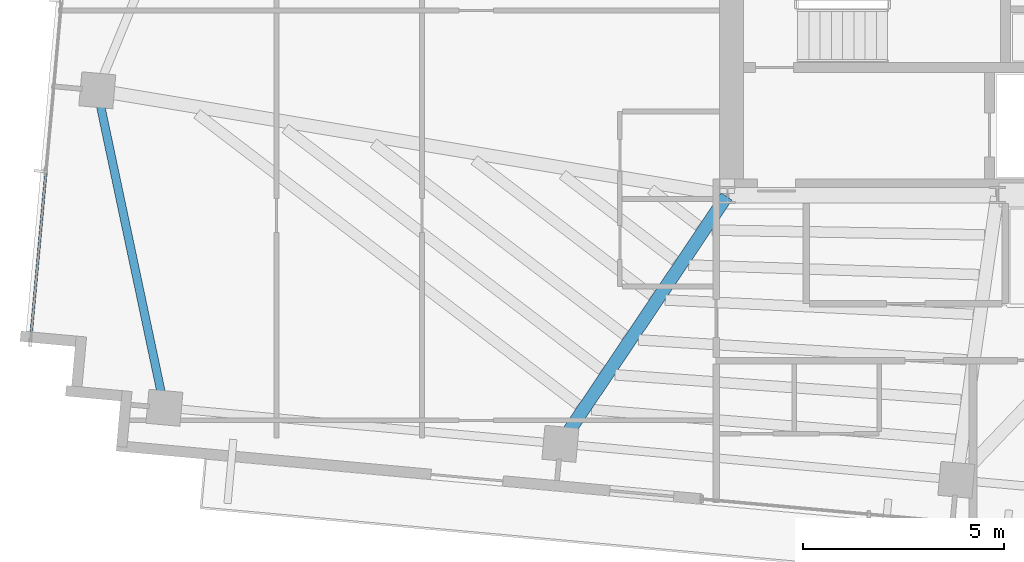
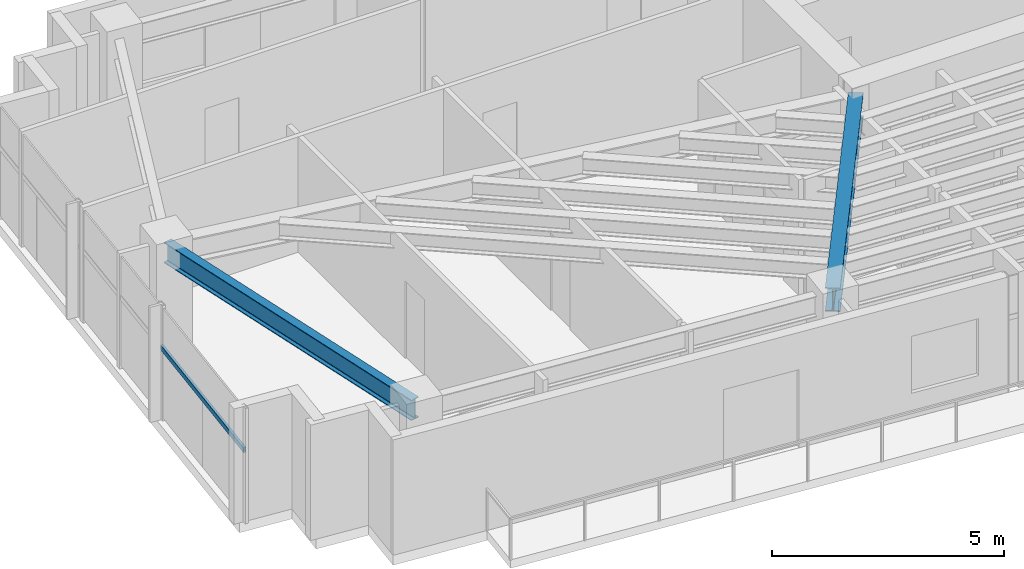
# One storey, part 3 of 22: 2 beams, 1 member, 1 element without a shape of its own.
"""IFC4 building model written with IfcOpenShell, lengths in metres."""

from ifc_helpers import new_model, si_unit, direction, frame, origin, origin_2d, place, context, subcontext, project, spatial, hollow_rectangle, i_section, extrude, source, transform, mapped, material, material_profile, profile_set, type_object, type_shapes, element, aggregate, save


model = new_model("IFC4")

# Units and contexts
model_context = context("Model", 3, precision=1e-05, world=origin(), true_north=direction((0.0, 1.0)))
body_context = subcontext(model_context, "Body", "Model", "MODEL_VIEW")
ifc_project = project(units=[si_unit("LENGTHUNIT", "METRE"), si_unit("AREAUNIT", "SQUARE_METRE"), si_unit("VOLUMEUNIT", "CUBIC_METRE"), si_unit("PLANEANGLEUNIT", "RADIAN"), si_unit("MASSUNIT", "GRAM", prefix="KILO")], contexts=[model_context])

# Site, building, storey
site_placement = place(None, origin())
site = spatial("IfcSite", under=ifc_project, at=site_placement, CompositionType="ELEMENT")
building_placement = place(site_placement, origin())
building = spatial("IfcBuilding", under=site, at=building_placement, Name="Astriad Promenade Condominiums", CompositionType="ELEMENT")
storey_placement = place(building_placement, frame((0.0, 0.0, 236.39990234375)))
storey = spatial("IfcBuildingStorey", under=building, at=storey_placement, Name="L68", CompositionType="ELEMENT", Elevation=236.39990234375)

# Beams
ifc_material_1 = material(Name="Steel ASTM A992 Grade 50", Category="steel")
ifc_material_profile_1 = material_profile(ifc_material_1, i_section(OverallWidth=0.210693359375, OverallDepth=0.53955078125, WebThickness=0.01171875, FlangeThickness=0.018798828125, FilletRadius=0.0166015625, at=origin_2d()), Name="W21X73")
ifc_profile_set_1 = profile_set([ifc_material_profile_1], Name="Steel ASTM A992 Grade 50")
beam_type_1 = type_object("IfcBeamType", Name="STEEL SPANDREL BEAM W21X73", PredefinedType="SPANDREL", material=ifc_profile_set_1)
shared_shape_1 = source(origin(), body_context, "Body", "SweptSolid", [
    extrude(i_section(OverallWidth=0.210693359375, OverallDepth=0.53955078125, WebThickness=0.01171875, FlangeThickness=0.018798828125, FilletRadius=0.0166015625, at=origin_2d()), origin(), (0.0, 0.0, 1.0), 7.99853515625),
])
type_shapes(beam_type_1, [shared_shape_1])
beam_1_placement = place(storey_placement, frame((10.719482421875, 19.97119140625, 2.7705078125), z_axis=(0.206793407277, -0.978384631271, 0.0), x_axis=(0.978384631271, 0.206793407277, 0.0)))
element("IfcBeam", 1, at=beam_1_placement, inside=storey, type_object=beam_type_1, Name="Perimeter Spandrel Beam SP-W1-L68", PredefinedType="SPANDREL", context=body_context, shape_type="MappedRepresentation", body=[
    mapped(shared_shape_1, transform((0.0, 0.0, 0.0), scale=1.0)),
])
ifc_material_profile_2 = material_profile(ifc_material_1, i_section(OverallWidth=0.326416015625, OverallDepth=0.621826171875, WebThickness=0.015380859375, FlangeThickness=0.0244140625, FilletRadius=0.017822265625, at=origin_2d()), Name="W24X131")
ifc_profile_set_2 = profile_set([ifc_material_profile_2], Name="Steel ASTM A992 Grade 50")
beam_type_2 = type_object("IfcBeamType", Name="STEEL FLOOR GIRDER W24X131", PredefinedType="BEAM", material=ifc_profile_set_2)
shared_shape_2 = source(origin(), body_context, "Body", "SweptSolid", [
    extrude(i_section(OverallWidth=0.326416015625, OverallDepth=0.621826171875, WebThickness=0.015380859375, FlangeThickness=0.0244140625, FilletRadius=0.017822265625, at=origin_2d()), origin(), (0.0, 0.0, 1.0), 7.378173828125),
])
type_shapes(beam_type_2, [shared_shape_2])
beam_2_placement = place(storey_placement, frame((22.263427734375, 11.2421875, 2.729248046875), z_axis=(0.55762901545, 0.830090284926, 0.0), x_axis=(-0.830090284926, 0.55762901545, 0.0)))
element("IfcBeam", 2, at=beam_2_placement, inside=storey, type_object=beam_type_2, Name="Primary Floor Girder PG-W2-L68", PredefinedType="BEAM", context=body_context, shape_type="MappedRepresentation", body=[
    mapped(shared_shape_2, transform((0.0, 0.0, 0.0), scale=1.0)),
])

# Curtain wall, member
ifc_material_2 = material(Name="Anodised aluminium Black Dark Glass Unitised", Category="aluminium")
curtain_wall_type = type_object("IfcCurtainWallType", Name="CW-B5-DARK", PredefinedType="USERDEFINED", material=ifc_material_2)
curtain_wall_placement = place(storey_placement, origin())
curtain_wall = element("IfcCurtainWall", 3, at=curtain_wall_placement, inside=storey, type_object=curtain_wall_type, Name="CW-L68-W", ObjectType="UNITISED_CURTAIN_WALL", PredefinedType="USERDEFINED")
ifc_material_3 = material(Name="Anodised aluminium 6063-T6 Black", Category="aluminium")
ifc_material_profile_3 = material_profile(ifc_material_3, hollow_rectangle(XDim=0.06494140625, YDim=0.1298828125, WallThickness=0.00390625, at=origin_2d()), Name="ALU-TRN-65X130")
ifc_profile_set_3 = profile_set([ifc_material_profile_3], Name="Anodised aluminium 6063-T6 Black")
member_type = type_object("IfcMemberType", Name="TRN-ALU-TRN-65X130", PredefinedType="USERDEFINED", material=ifc_profile_set_3)
shared_shape_3 = source(origin(), body_context, "Body", "SweptSolid", [
    extrude(hollow_rectangle(XDim=0.06494140625, YDim=0.1298828125, WallThickness=0.00390625, at=origin_2d()), origin(), (0.0, 0.0, 1.0), 4.2666015625),
])
type_shapes(member_type, [shared_shape_3])
member_placement = place(storey_placement, frame((9.0458984375, 13.7353515625, 1.885009765625), z_axis=(0.090638931954, 0.99588382054, 0.0), x_axis=(-0.99588382054, 0.090638931954, 0.0)))
member = element("IfcMember", 4, at=member_placement, type_object=member_type, Name="CW-L68-W-TRN-00-0", ObjectType="TRANSOM", PredefinedType="USERDEFINED", context=body_context, shape_type="MappedRepresentation", body=[
    mapped(shared_shape_3, transform((0.0, 0.0, 0.0), scale=1.0)),
])
aggregate(curtain_wall, [member])

save(model, "model.ifc")
